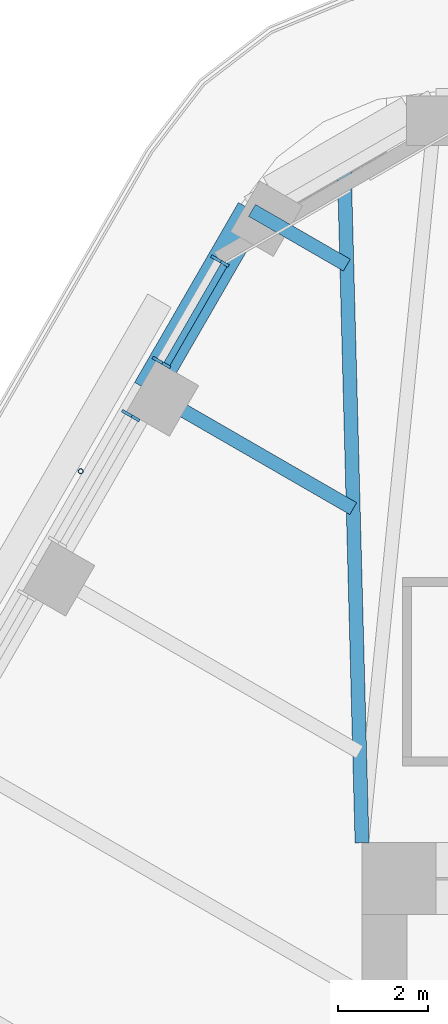
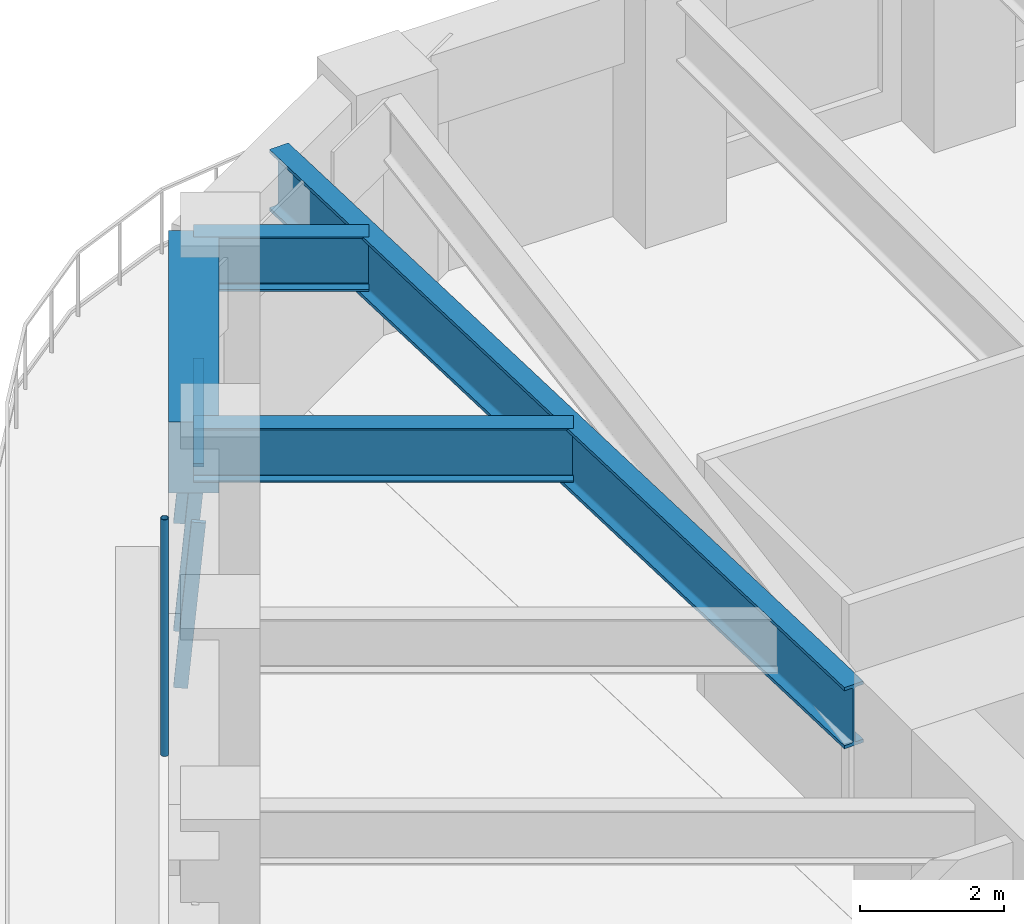
# One storey, part 8 of 20: 5 members, 4 beams, 2 elements without a shape of their own.
"""IFC4 building model written with IfcOpenShell, lengths in metres."""

from ifc_helpers import new_model, si_unit, direction, frame, origin, origin_2d, place, context, subcontext, project, spatial, rectangle, hollow_circle, i_section, extrude, material, material_profile, profile_set, type_object, element, aggregate, save


model = new_model("IFC4")

# Units and contexts
model_context = context("Model", 3, precision=1e-05, world=origin(), true_north=direction((0.0, 1.0)))
body_context = subcontext(model_context, "Body", "Model", "MODEL_VIEW")
ifc_project = project(units=[si_unit("LENGTHUNIT", "METRE"), si_unit("AREAUNIT", "SQUARE_METRE"), si_unit("VOLUMEUNIT", "CUBIC_METRE"), si_unit("PLANEANGLEUNIT", "RADIAN"), si_unit("MASSUNIT", "GRAM", prefix="KILO")], contexts=[model_context])

# Site, building, storey
site_placement = place(None, origin())
site = spatial("IfcSite", under=ifc_project, at=site_placement, CompositionType="ELEMENT")
building_placement = place(site_placement, origin())
building = spatial("IfcBuilding", under=site, at=building_placement, Name="Tarfa Lantern Tower", CompositionType="ELEMENT")
storey_placement = place(building_placement, frame((0.0, 0.0, 249.10009765625)))
storey = spatial("IfcBuildingStorey", under=building, at=storey_placement, Name="L56", CompositionType="ELEMENT", Elevation=249.10009765625)

# Curtain wall, members
ifc_material_1 = material(Name="Aluminium framed curtain wall", Category="aluminium")
curtain_wall_type = type_object("IfcCurtainWallType", Name="CW3 CANTED GLAZING HIGH ZONE 2800", PredefinedType="USERDEFINED", material=ifc_material_1)
curtain_wall_1_placement = place(storey_placement, origin())
curtain_wall_1 = element("IfcCurtainWall", 1, at=curtain_wall_1_placement, inside=storey, type_object=curtain_wall_type, Name="CW3 NW L56", ObjectType="CURTAIN WALL", PredefinedType="USERDEFINED")
ifc_material_2 = material(Name="Aluminium mullion", Category="aluminium")
ifc_material_profile_1 = material_profile(ifc_material_2, rectangle(XDim=0.06494140625, YDim=0.199951171875, at=origin_2d()), Name="AL MULLION 65x200")
ifc_profile_set_1 = profile_set([ifc_material_profile_1], Name="Aluminium mullion")
member_type_1 = type_object("IfcMemberType", Name="CWM1 MULLION 65x200", PredefinedType="MULLION", material=ifc_profile_set_1)
member_1_placement = place(storey_placement, frame((-18.76611328125, 25.296142578125, 0.0), z_axis=(0.077039050765, -0.044468989844, 0.996035889715), x_axis=(0.499919672301, 0.866071776036, 0.0)))
member_1 = element("IfcMember", 2, at=member_1_placement, type_object=member_type_1, Name="CW3 mullion 1", PredefinedType="MULLION", context=body_context, shape_type="SweptSolid", body=[
    extrude(rectangle(XDim=0.06494140625, YDim=0.199951171875, at=origin_2d()), origin(), (0.0, 0.0, 1.0), 2.81103515625),
])
member_2_placement = place(storey_placement, frame((-20.068115234375, 23.041015625, 0.0), z_axis=(0.077039050765, -0.044468989844, 0.996035889715), x_axis=(0.499919672301, 0.866071776036, 0.0)))
member_2 = element("IfcMember", 3, at=member_2_placement, type_object=member_type_1, Name="CW3 mullion 2", PredefinedType="MULLION", context=body_context, shape_type="SweptSolid", body=[
    extrude(rectangle(XDim=0.06494140625, YDim=0.199951171875, at=origin_2d()), origin(), (0.0, 0.0, 1.0), 2.81103515625),
])

# Curtain wall, member
curtain_wall_2_placement = place(storey_placement, origin())
curtain_wall_2 = element("IfcCurtainWall", 4, at=curtain_wall_2_placement, inside=storey, type_object=curtain_wall_type, Name="CW3 NW L56", ObjectType="CURTAIN WALL", PredefinedType="USERDEFINED")
member_3_placement = place(storey_placement, frame((-20.75048828125, 21.85888671875, 0.0), z_axis=(0.07695271188, -0.044469287226, 0.996042550611), x_axis=(0.500342721131, 0.865827443207, 0.0)))
member_3 = element("IfcMember", 5, at=member_3_placement, type_object=member_type_1, Name="CW3 mullion 1", PredefinedType="MULLION", context=body_context, shape_type="SweptSolid", body=[
    extrude(rectangle(XDim=0.06494140625, YDim=0.199951171875, at=origin_2d()), origin(), (0.0, 0.0, 1.0), 2.81103515625),
])
aggregate(curtain_wall_2, [member_3])

# Member
ifc_material_3 = material(Name="Aluminium transom", Category="aluminium")
ifc_material_profile_2 = material_profile(ifc_material_3, rectangle(XDim=0.14990234375, YDim=0.06494140625, at=origin_2d()), Name="AL TRANSOM 150x65")
ifc_profile_set_2 = profile_set([ifc_material_profile_2], Name="Aluminium transom")
member_type_2 = type_object("IfcMemberType", Name="CWT1 TRANSOM 150x65", PredefinedType="USERDEFINED", material=ifc_profile_set_2)
member_4_placement = place(storey_placement, frame((-18.568359375, 25.144287109375, 2.767333984375), z_axis=(-0.500027655771, -0.866009436129, 0.0), x_axis=(0.866009436129, -0.500027655771, 0.0)))
member_4 = element("IfcMember", 6, at=member_4_placement, type_object=member_type_2, Name="CW3 transom 1.2", ObjectType="TRANSOM", PredefinedType="USERDEFINED", context=body_context, shape_type="SweptSolid", body=[
    extrude(rectangle(XDim=0.14990234375, YDim=0.06494140625, at=origin_2d()), origin(), (0.0, 0.0, 1.0), 2.538818359375),
])

aggregate(curtain_wall_1, [member_1, member_2, member_4])

# Beam
ifc_material_4 = material(Name="Concrete C80/95", Category="concrete")
ifc_material_profile_3 = material_profile(ifc_material_4, rectangle(XDim=0.699951171875, YDim=1.199951171875, at=origin_2d()), Name="RC 700x1200")
ifc_profile_set_3 = profile_set([ifc_material_profile_3], Name="Concrete C80/95")
beam_type_1 = type_object("IfcBeamType", Name="EB3 RC 700x1200", PredefinedType="SPANDREL", material=ifc_profile_set_3)
beam_1_placement = place(storey_placement, frame((-17.944091796875, 26.360107421875, 3.39990234375), z_axis=(-0.499987836815, -0.866032426089, 0.0), x_axis=(0.866032426089, -0.499987836815, 0.0)))
element("IfcBeam", 7, at=beam_1_placement, inside=storey, type_object=beam_type_1, Name="Edge beam NW0", PredefinedType="SPANDREL", context=body_context, shape_type="SweptSolid", body=[
    extrude(rectangle(XDim=0.699951171875, YDim=1.199951171875, at=origin_2d()), origin(), (0.0, 0.0, 1.0), 4.61865234375),
])

# Member
ifc_material_5 = material(Name="Steel S355", Category="steel")
ifc_material_profile_4 = material_profile(ifc_material_5, hollow_circle(Radius=0.05712890625, WallThickness=0.00634765625, at=origin_2d()), Name="CHS114.3x6.3")
ifc_profile_set_4 = profile_set([ifc_material_profile_4], Name="Steel S355")
member_type_3 = type_object("IfcMemberType", Name="TR1 GREEN WALL TRELLIS CHS114.3x6.3", PredefinedType="USERDEFINED", material=ifc_profile_set_4)
member_5_placement = place(storey_placement, frame((-21.754638671875, 20.56005859375, 0.0), z_axis=(0.0, 0.0, 1.0), x_axis=(1.0, 0.0, 0.0)))
element("IfcMember", 8, at=member_5_placement, inside=storey, type_object=member_type_3, Name="Trellis post NW 1", ObjectType="TRELLIS", PredefinedType="USERDEFINED", context=body_context, shape_type="SweptSolid", body=[
    extrude(hollow_circle(Radius=0.05712890625, WallThickness=0.00634765625, at=origin_2d()), origin(), (0.0, 0.0, 1.0), 4.0),
])

# Beams
ifc_material_6 = material(Name="Steel S460M", Category="steel")
ifc_material_profile_5 = material_profile(ifc_material_6, i_section(OverallWidth=0.30859375, OverallDepth=1.036376953125, WebThickness=0.030029296875, FlangeThickness=0.05419921875, FilletRadius=0.030029296875, at=origin_2d()), Name="UB1016x305x487")
ifc_profile_set_5 = profile_set([ifc_material_profile_5], Name="Steel S460M")
beam_type_2 = type_object("IfcBeamType", Name="UB1016x305x487", PredefinedType="BEAM", material=ifc_profile_set_5)
beam_2_placement = place(storey_placement, frame((-15.5, 12.300048828125, 3.481689453125), z_axis=(-0.026247301989, 0.999655480222, 0.0), x_axis=(-0.999655480222, -0.026247301989, 0.0)))
element("IfcBeam", 9, at=beam_2_placement, inside=storey, type_object=beam_type_2, Name="Hip girder NW", PredefinedType="BEAM", context=body_context, shape_type="SweptSolid", body=[
    extrude(i_section(OverallWidth=0.30859375, OverallDepth=1.036376953125, WebThickness=0.030029296875, FlangeThickness=0.05419921875, FilletRadius=0.030029296875, at=origin_2d()), origin(), (0.0, 0.0, 1.0), 15.245361328125),
])
ifc_material_profile_6 = material_profile(ifc_material_6, i_section(OverallWidth=0.305419921875, OverallDepth=0.91845703125, WebThickness=0.017333984375, FlangeThickness=0.02783203125, FilletRadius=0.01904296875, at=origin_2d()), Name="UB914x305x253")
ifc_profile_set_6 = profile_set([ifc_material_profile_6], Name="Steel S460M")
beam_type_3 = type_object("IfcBeamType", Name="UB914x305x253", PredefinedType="BEAM", material=ifc_profile_set_6)
beam_3_placement = place(storey_placement, frame((-17.944091796875, 26.360107421875, 3.540771484375), z_axis=(0.865980009423, -0.5000786171, 0.0), x_axis=(0.5000786171, 0.865980009423, 0.0)))
element("IfcBeam", 10, at=beam_3_placement, inside=storey, type_object=beam_type_3, Name="Floor beam NW0", PredefinedType="BEAM", context=body_context, shape_type="SweptSolid", body=[
    extrude(i_section(OverallWidth=0.305419921875, OverallDepth=0.91845703125, WebThickness=0.017333984375, FlangeThickness=0.02783203125, FilletRadius=0.01904296875, at=origin_2d()), origin(), (0.0, 0.0, 1.0), 2.4326171875),
])
beam_4_placement = place(storey_placement, frame((-20.25341796875, 22.360107421875, 3.540771484375), z_axis=(0.86601951648, -0.500010196972, 0.0), x_axis=(0.500010196972, 0.86601951648, 0.0)))
element("IfcBeam", 11, at=beam_4_placement, inside=storey, type_object=beam_type_3, Name="Floor beam NW1", PredefinedType="BEAM", context=body_context, shape_type="SweptSolid", body=[
    extrude(i_section(OverallWidth=0.305419921875, OverallDepth=0.91845703125, WebThickness=0.017333984375, FlangeThickness=0.02783203125, FilletRadius=0.01904296875, at=origin_2d()), origin(), (0.0, 0.0, 1.0), 5.263671875),
])

save(model, "model.ifc")
